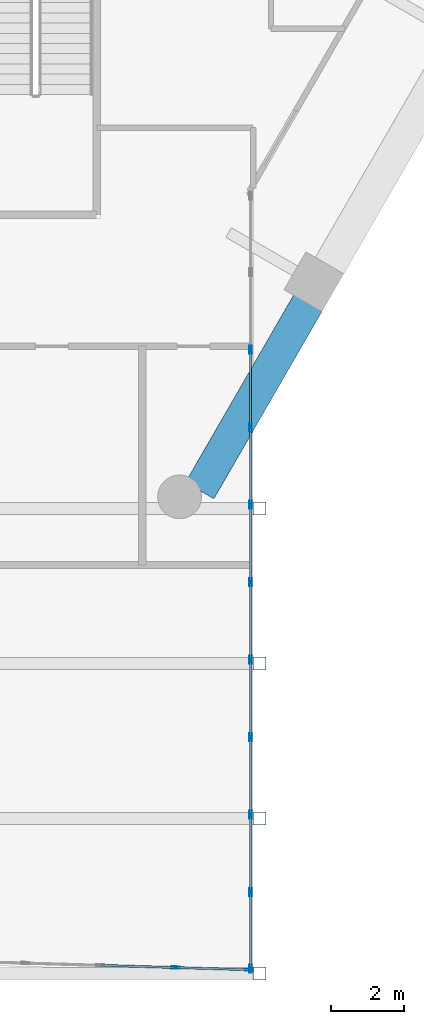
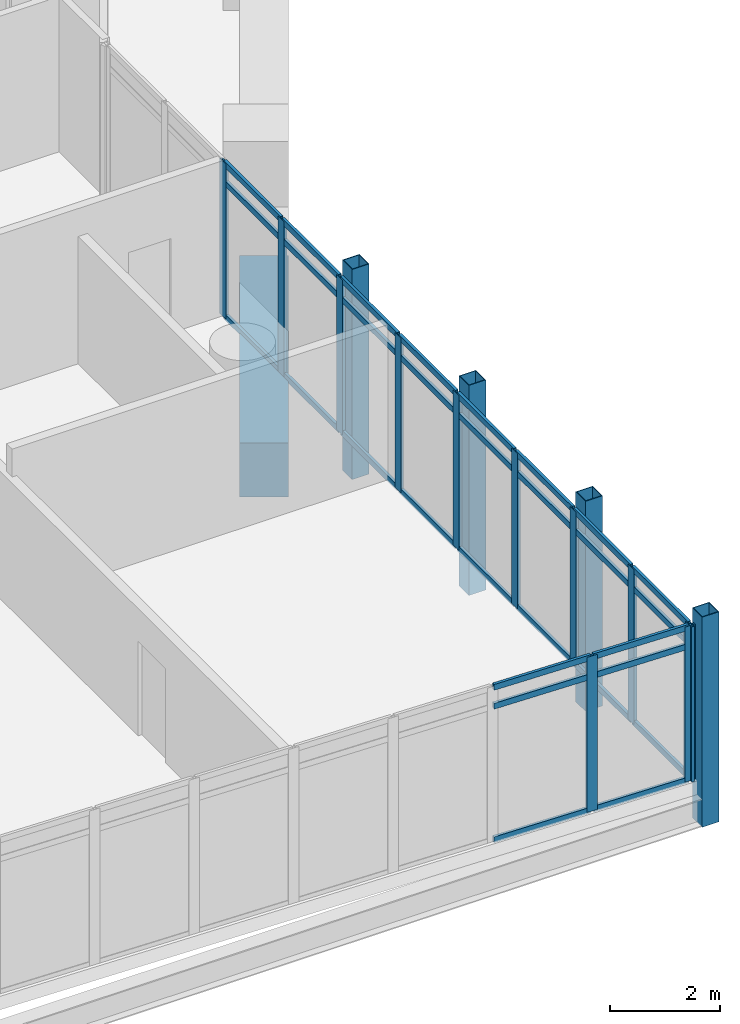
# One storey, part 10 of 28: 45 members, 1 beam, 2 elements without a shape of their own.
"""IFC4 building model written with IfcOpenShell, lengths in metres."""

from ifc_helpers import new_model, si_unit, direction, frame, origin, origin_2d, place, context, subcontext, project, spatial, rectangle, hollow_rectangle, extrude, material, material_profile, profile_set, type_object, element, aggregate, save


model = new_model("IFC4")

# Units and contexts
model_context = context("Model", 3, precision=1e-05, world=origin(), true_north=direction((0.0, 1.0)))
body_context = subcontext(model_context, "Body", "Model", "MODEL_VIEW")
ifc_project = project(units=[si_unit("LENGTHUNIT", "METRE"), si_unit("AREAUNIT", "SQUARE_METRE"), si_unit("VOLUMEUNIT", "CUBIC_METRE"), si_unit("PLANEANGLEUNIT", "RADIAN"), si_unit("MASSUNIT", "GRAM", prefix="KILO")], contexts=[model_context])

# Site, building, storey
site_placement = place(None, origin())
site = spatial("IfcSite", under=ifc_project, at=site_placement, CompositionType="ELEMENT")
building_placement = place(site_placement, origin())
building = spatial("IfcBuilding", under=site, at=building_placement, Name="Ostrander Bayou Hotel Tower", CompositionType="ELEMENT")
storey_placement = place(building_placement, frame((0.0, 0.0, 104.25)))
storey = spatial("IfcBuildingStorey", under=building, at=storey_placement, Name="L26", CompositionType="ELEMENT", Elevation=104.25)

# Curtain wall, members
ifc_material_1 = material(Name="Aluminium and clear glass", Category="aluminium")
curtain_wall_type = type_object("IfcCurtainWallType", Name="CW-BAR glazed wall", PredefinedType="NOTDEFINED", material=ifc_material_1)
curtain_wall_1_placement = place(storey_placement, origin())
curtain_wall_1 = element("IfcCurtainWall", 1, at=curtain_wall_1_placement, inside=storey, type_object=curtain_wall_type, Name="CW-BAR L26:SB2S:T", PredefinedType="NOTDEFINED")
ifc_material_2 = material(Name="Aluminium", Category="aluminium")
ifc_material_profile_1 = material_profile(ifc_material_2, hollow_rectangle(XDim=0.06005859375, YDim=0.219970703125, WallThickness=0.00390625, at=origin_2d()))
ifc_profile_set_1 = profile_set([ifc_material_profile_1], Name="Aluminium")
member_type_1 = type_object("IfcMemberType", Name="CW-BR mullion 60 x 220 mm", PredefinedType="MULLION", material=ifc_profile_set_1)
member_1_placement = place(storey_placement, frame((11.310791015625, -32.03662109375, 0.0), z_axis=(0.0, 0.0, 1.0), x_axis=(0.029746242041, 0.999557482631, 0.0)))
member_1 = element("IfcMember", 2, at=member_1_placement, type_object=member_type_1, Name="CW-BAR mullion 13", PredefinedType="MULLION", context=body_context, shape_type="SweptSolid", body=[
    extrude(hollow_rectangle(XDim=0.06005859375, YDim=0.219970703125, WallThickness=0.00390625, at=origin_2d()), origin(), (0.0, 0.0, 1.0), 3.449951171875),
])
member_2_placement = place(storey_placement, frame((13.337158203125, -32.096923828125, 0.0), z_axis=(0.0, 0.0, 1.0), x_axis=(0.029746242041, 0.999557482631, 0.0)))
member_2 = element("IfcMember", 3, at=member_2_placement, type_object=member_type_1, Name="CW-BAR mullion 14", PredefinedType="MULLION", context=body_context, shape_type="SweptSolid", body=[
    extrude(hollow_rectangle(XDim=0.06005859375, YDim=0.219970703125, WallThickness=0.00390625, at=origin_2d()), origin(), (0.0, 0.0, 1.0), 3.449951171875),
])

curtain_wall_2_placement = place(storey_placement, origin())
curtain_wall_2 = element("IfcCurtainWall", 4, at=curtain_wall_2_placement, inside=storey, type_object=curtain_wall_type, Name="CW-BAR L26:SB2S:W", PredefinedType="NOTDEFINED")
member_3_placement = place(storey_placement, frame((13.3671875, -15.097412109375, 0.0), z_axis=(0.0, 0.0, 1.0), x_axis=(1.0, 0.0, 0.0)))
member_3 = element("IfcMember", 5, at=member_3_placement, type_object=member_type_1, Name="CW-BAR mullion 3", PredefinedType="MULLION", context=body_context, shape_type="SweptSolid", body=[
    extrude(hollow_rectangle(XDim=0.06005859375, YDim=0.219970703125, WallThickness=0.00390625, at=origin_2d()), origin(), (0.0, 0.0, 1.0), 3.449951171875),
])
member_4_placement = place(storey_placement, frame((13.3671875, -17.222412109375, 0.0), z_axis=(0.0, 0.0, 1.0), x_axis=(1.0, 0.0, 0.0)))
member_4 = element("IfcMember", 6, at=member_4_placement, type_object=member_type_1, Name="CW-BAR mullion 4", PredefinedType="MULLION", context=body_context, shape_type="SweptSolid", body=[
    extrude(hollow_rectangle(XDim=0.06005859375, YDim=0.219970703125, WallThickness=0.00390625, at=origin_2d()), origin(), (0.0, 0.0, 1.0), 3.449951171875),
])
member_5_placement = place(storey_placement, frame((13.3671875, -19.347412109375, 0.0), z_axis=(0.0, 0.0, 1.0), x_axis=(1.0, 0.0, 0.0)))
member_5 = element("IfcMember", 7, at=member_5_placement, type_object=member_type_1, Name="CW-BAR mullion 5", PredefinedType="MULLION", context=body_context, shape_type="SweptSolid", body=[
    extrude(hollow_rectangle(XDim=0.06005859375, YDim=0.219970703125, WallThickness=0.00390625, at=origin_2d()), origin(), (0.0, 0.0, 1.0), 3.449951171875),
])
member_6_placement = place(storey_placement, frame((13.3671875, -21.47265625, 0.0), z_axis=(0.0, 0.0, 1.0), x_axis=(1.0, 0.0, 0.0)))
member_6 = element("IfcMember", 8, at=member_6_placement, type_object=member_type_1, Name="CW-BAR mullion 6", PredefinedType="MULLION", context=body_context, shape_type="SweptSolid", body=[
    extrude(hollow_rectangle(XDim=0.06005859375, YDim=0.219970703125, WallThickness=0.00390625, at=origin_2d()), origin(), (0.0, 0.0, 1.0), 3.449951171875),
])
member_7_placement = place(storey_placement, frame((13.3671875, -23.59765625, 0.0), z_axis=(0.0, 0.0, 1.0), x_axis=(1.0, 0.0, 0.0)))
member_7 = element("IfcMember", 9, at=member_7_placement, type_object=member_type_1, Name="CW-BAR mullion 7", PredefinedType="MULLION", context=body_context, shape_type="SweptSolid", body=[
    extrude(hollow_rectangle(XDim=0.06005859375, YDim=0.219970703125, WallThickness=0.00390625, at=origin_2d()), origin(), (0.0, 0.0, 1.0), 3.449951171875),
])
member_8_placement = place(storey_placement, frame((13.3671875, -25.72265625, 0.0), z_axis=(0.0, 0.0, 1.0), x_axis=(1.0, 0.0, 0.0)))
member_8 = element("IfcMember", 10, at=member_8_placement, type_object=member_type_1, Name="CW-BAR mullion 8", PredefinedType="MULLION", context=body_context, shape_type="SweptSolid", body=[
    extrude(hollow_rectangle(XDim=0.06005859375, YDim=0.219970703125, WallThickness=0.00390625, at=origin_2d()), origin(), (0.0, 0.0, 1.0), 3.449951171875),
])
member_9_placement = place(storey_placement, frame((13.3671875, -27.84765625, 0.0), z_axis=(0.0, 0.0, 1.0), x_axis=(1.0, 0.0, 0.0)))
member_9 = element("IfcMember", 11, at=member_9_placement, type_object=member_type_1, Name="CW-BAR mullion 9", PredefinedType="MULLION", context=body_context, shape_type="SweptSolid", body=[
    extrude(hollow_rectangle(XDim=0.06005859375, YDim=0.219970703125, WallThickness=0.00390625, at=origin_2d()), origin(), (0.0, 0.0, 1.0), 3.449951171875),
])
member_10_placement = place(storey_placement, frame((13.3671875, -29.97265625, 0.0), z_axis=(0.0, 0.0, 1.0), x_axis=(1.0, 0.0, 0.0)))
member_10 = element("IfcMember", 12, at=member_10_placement, type_object=member_type_1, Name="CW-BAR mullion 10", PredefinedType="MULLION", context=body_context, shape_type="SweptSolid", body=[
    extrude(hollow_rectangle(XDim=0.06005859375, YDim=0.219970703125, WallThickness=0.00390625, at=origin_2d()), origin(), (0.0, 0.0, 1.0), 3.449951171875),
])
member_11_placement = place(storey_placement, frame((13.3671875, -32.06787109375, 0.0), z_axis=(0.0, 0.0, 1.0), x_axis=(1.0, 0.0, 0.0)))
member_11 = element("IfcMember", 13, at=member_11_placement, type_object=member_type_1, Name="CW-BAR mullion 11", PredefinedType="MULLION", context=body_context, shape_type="SweptSolid", body=[
    extrude(hollow_rectangle(XDim=0.06005859375, YDim=0.219970703125, WallThickness=0.00390625, at=origin_2d()), origin(), (0.0, 0.0, 1.0), 3.449951171875),
])

# Member
ifc_material_3 = material(Name="Aluminium", Category="aluminium")
ifc_material_profile_2 = material_profile(ifc_material_3, hollow_rectangle(XDim=0.06005859375, YDim=0.1298828125, WallThickness=0.00390625, at=origin_2d()))
ifc_profile_set_2 = profile_set([ifc_material_profile_2], Name="Aluminium")
member_type_2 = type_object("IfcMemberType", Name="CW-BR transom 60 x 130 mm", PredefinedType="USERDEFINED", material=ifc_profile_set_2)
member_12_placement = place(storey_placement, frame((9.2841796875, -31.976318359375, 0.030029296875), z_axis=(0.999558835181, -0.029700757758, 0.0), x_axis=(0.029700757758, 0.999558835181, 0.0)))
member_12 = element("IfcMember", 14, at=member_12_placement, type_object=member_type_2, Name="CW-BAR transom 12.1", ObjectType="TRANSOM", PredefinedType="USERDEFINED", context=body_context, shape_type="SweptSolid", body=[
    extrude(hollow_rectangle(XDim=0.06005859375, YDim=0.1298828125, WallThickness=0.00390625, at=origin_2d()), origin(), (0.0, 0.0, 1.0), 1.99755859375),
])

member_13_placement = place(storey_placement, frame((9.2841796875, -31.976318359375, 3.0), z_axis=(0.999558835181, -0.029700757758, 0.0), x_axis=(0.029700757758, 0.999558835181, 0.0)))
member_13 = element("IfcMember", 15, at=member_13_placement, type_object=member_type_2, Name="CW-BAR transom 12.2", ObjectType="TRANSOM", PredefinedType="USERDEFINED", context=body_context, shape_type="SweptSolid", body=[
    extrude(hollow_rectangle(XDim=0.06005859375, YDim=0.1298828125, WallThickness=0.00390625, at=origin_2d()), origin(), (0.0, 0.0, 1.0), 1.99755859375),
])

member_14_placement = place(storey_placement, frame((9.2841796875, -31.976318359375, 3.419921875), z_axis=(0.999558835181, -0.029700757758, 0.0), x_axis=(0.029700757758, 0.999558835181, 0.0)))
member_14 = element("IfcMember", 16, at=member_14_placement, type_object=member_type_2, Name="CW-BAR transom 12.3", ObjectType="TRANSOM", PredefinedType="USERDEFINED", context=body_context, shape_type="SweptSolid", body=[
    extrude(hollow_rectangle(XDim=0.06005859375, YDim=0.1298828125, WallThickness=0.00390625, at=origin_2d()), origin(), (0.0, 0.0, 1.0), 1.99755859375),
])

member_15_placement = place(storey_placement, frame((11.340576171875, -32.03759765625, 0.030029296875), z_axis=(0.99956010596, -0.029657959693, 0.0), x_axis=(0.029657959693, 0.99956010596, 0.0)))
member_15 = element("IfcMember", 17, at=member_15_placement, type_object=member_type_2, Name="CW-BAR transom 13.1", ObjectType="TRANSOM", PredefinedType="USERDEFINED", context=body_context, shape_type="SweptSolid", body=[
    extrude(hollow_rectangle(XDim=0.06005859375, YDim=0.1298828125, WallThickness=0.00390625, at=origin_2d()), origin(), (0.0, 0.0, 1.0), 1.967529296875),
])

member_16_placement = place(storey_placement, frame((11.340576171875, -32.03759765625, 3.0), z_axis=(0.99956010596, -0.029657959693, 0.0), x_axis=(0.029657959693, 0.99956010596, 0.0)))
member_16 = element("IfcMember", 18, at=member_16_placement, type_object=member_type_2, Name="CW-BAR transom 13.2", ObjectType="TRANSOM", PredefinedType="USERDEFINED", context=body_context, shape_type="SweptSolid", body=[
    extrude(hollow_rectangle(XDim=0.06005859375, YDim=0.1298828125, WallThickness=0.00390625, at=origin_2d()), origin(), (0.0, 0.0, 1.0), 1.967529296875),
])

member_17_placement = place(storey_placement, frame((11.340576171875, -32.03759765625, 3.419921875), z_axis=(0.99956010596, -0.029657959693, 0.0), x_axis=(0.029657959693, 0.99956010596, 0.0)))
member_17 = element("IfcMember", 19, at=member_17_placement, type_object=member_type_2, Name="CW-BAR transom 13.3", ObjectType="TRANSOM", PredefinedType="USERDEFINED", context=body_context, shape_type="SweptSolid", body=[
    extrude(hollow_rectangle(XDim=0.06005859375, YDim=0.1298828125, WallThickness=0.00390625, at=origin_2d()), origin(), (0.0, 0.0, 1.0), 1.967529296875),
])

aggregate(curtain_wall_1, [member_1, member_2, member_12, member_13, member_14, member_15, member_16, member_17])

member_18_placement = place(storey_placement, frame((13.3671875, -15.12744140625, 0.030029296875), z_axis=(0.0, -1.0, 0.0), x_axis=(1.0, 0.0, 0.0)))
member_18 = element("IfcMember", 20, at=member_18_placement, type_object=member_type_2, Name="CW-BAR transom 3.1", ObjectType="TRANSOM", PredefinedType="USERDEFINED", context=body_context, shape_type="SweptSolid", body=[
    extrude(hollow_rectangle(XDim=0.06005859375, YDim=0.1298828125, WallThickness=0.00390625, at=origin_2d()), origin(), (0.0, 0.0, 1.0), 2.06494140625),
])

member_19_placement = place(storey_placement, frame((13.3671875, -15.12744140625, 3.0), z_axis=(0.0, -1.0, 0.0), x_axis=(1.0, 0.0, 0.0)))
member_19 = element("IfcMember", 21, at=member_19_placement, type_object=member_type_2, Name="CW-BAR transom 3.2", ObjectType="TRANSOM", PredefinedType="USERDEFINED", context=body_context, shape_type="SweptSolid", body=[
    extrude(hollow_rectangle(XDim=0.06005859375, YDim=0.1298828125, WallThickness=0.00390625, at=origin_2d()), origin(), (0.0, 0.0, 1.0), 2.06494140625),
])

member_20_placement = place(storey_placement, frame((13.3671875, -15.12744140625, 3.419921875), z_axis=(0.0, -1.0, 0.0), x_axis=(1.0, 0.0, 0.0)))
member_20 = element("IfcMember", 22, at=member_20_placement, type_object=member_type_2, Name="CW-BAR transom 3.3", ObjectType="TRANSOM", PredefinedType="USERDEFINED", context=body_context, shape_type="SweptSolid", body=[
    extrude(hollow_rectangle(XDim=0.06005859375, YDim=0.1298828125, WallThickness=0.00390625, at=origin_2d()), origin(), (0.0, 0.0, 1.0), 2.06494140625),
])

member_21_placement = place(storey_placement, frame((13.3671875, -17.25244140625, 0.030029296875), z_axis=(0.0, -1.0, 0.0), x_axis=(1.0, 0.0, 0.0)))
member_21 = element("IfcMember", 23, at=member_21_placement, type_object=member_type_2, Name="CW-BAR transom 4.1", ObjectType="TRANSOM", PredefinedType="USERDEFINED", context=body_context, shape_type="SweptSolid", body=[
    extrude(hollow_rectangle(XDim=0.06005859375, YDim=0.1298828125, WallThickness=0.00390625, at=origin_2d()), origin(), (0.0, 0.0, 1.0), 2.06494140625),
])

member_22_placement = place(storey_placement, frame((13.3671875, -17.25244140625, 3.0), z_axis=(0.0, -1.0, 0.0), x_axis=(1.0, 0.0, 0.0)))
member_22 = element("IfcMember", 24, at=member_22_placement, type_object=member_type_2, Name="CW-BAR transom 4.2", ObjectType="TRANSOM", PredefinedType="USERDEFINED", context=body_context, shape_type="SweptSolid", body=[
    extrude(hollow_rectangle(XDim=0.06005859375, YDim=0.1298828125, WallThickness=0.00390625, at=origin_2d()), origin(), (0.0, 0.0, 1.0), 2.06494140625),
])

member_23_placement = place(storey_placement, frame((13.3671875, -17.25244140625, 3.419921875), z_axis=(0.0, -1.0, 0.0), x_axis=(1.0, 0.0, 0.0)))
member_23 = element("IfcMember", 25, at=member_23_placement, type_object=member_type_2, Name="CW-BAR transom 4.3", ObjectType="TRANSOM", PredefinedType="USERDEFINED", context=body_context, shape_type="SweptSolid", body=[
    extrude(hollow_rectangle(XDim=0.06005859375, YDim=0.1298828125, WallThickness=0.00390625, at=origin_2d()), origin(), (0.0, 0.0, 1.0), 2.06494140625),
])

member_24_placement = place(storey_placement, frame((13.3671875, -19.37744140625, 0.030029296875), z_axis=(0.0, -1.0, 0.0), x_axis=(1.0, 0.0, 0.0)))
member_24 = element("IfcMember", 26, at=member_24_placement, type_object=member_type_2, Name="CW-BAR transom 5.1", ObjectType="TRANSOM", PredefinedType="USERDEFINED", context=body_context, shape_type="SweptSolid", body=[
    extrude(hollow_rectangle(XDim=0.06005859375, YDim=0.1298828125, WallThickness=0.00390625, at=origin_2d()), origin(), (0.0, 0.0, 1.0), 2.065185546875),
])

member_25_placement = place(storey_placement, frame((13.3671875, -19.37744140625, 3.0), z_axis=(0.0, -1.0, 0.0), x_axis=(1.0, 0.0, 0.0)))
member_25 = element("IfcMember", 27, at=member_25_placement, type_object=member_type_2, Name="CW-BAR transom 5.2", ObjectType="TRANSOM", PredefinedType="USERDEFINED", context=body_context, shape_type="SweptSolid", body=[
    extrude(hollow_rectangle(XDim=0.06005859375, YDim=0.1298828125, WallThickness=0.00390625, at=origin_2d()), origin(), (0.0, 0.0, 1.0), 2.065185546875),
])

member_26_placement = place(storey_placement, frame((13.3671875, -19.37744140625, 3.419921875), z_axis=(0.0, -1.0, 0.0), x_axis=(1.0, 0.0, 0.0)))
member_26 = element("IfcMember", 28, at=member_26_placement, type_object=member_type_2, Name="CW-BAR transom 5.3", ObjectType="TRANSOM", PredefinedType="USERDEFINED", context=body_context, shape_type="SweptSolid", body=[
    extrude(hollow_rectangle(XDim=0.06005859375, YDim=0.1298828125, WallThickness=0.00390625, at=origin_2d()), origin(), (0.0, 0.0, 1.0), 2.065185546875),
])

member_27_placement = place(storey_placement, frame((13.3671875, -21.50244140625, 0.030029296875), z_axis=(0.0, -1.0, 0.0), x_axis=(1.0, 0.0, 0.0)))
member_27 = element("IfcMember", 29, at=member_27_placement, type_object=member_type_2, Name="CW-BAR transom 6.1", ObjectType="TRANSOM", PredefinedType="USERDEFINED", context=body_context, shape_type="SweptSolid", body=[
    extrude(hollow_rectangle(XDim=0.06005859375, YDim=0.1298828125, WallThickness=0.00390625, at=origin_2d()), origin(), (0.0, 0.0, 1.0), 2.065185546875),
])

member_28_placement = place(storey_placement, frame((13.3671875, -21.50244140625, 3.0), z_axis=(0.0, -1.0, 0.0), x_axis=(1.0, 0.0, 0.0)))
member_28 = element("IfcMember", 30, at=member_28_placement, type_object=member_type_2, Name="CW-BAR transom 6.2", ObjectType="TRANSOM", PredefinedType="USERDEFINED", context=body_context, shape_type="SweptSolid", body=[
    extrude(hollow_rectangle(XDim=0.06005859375, YDim=0.1298828125, WallThickness=0.00390625, at=origin_2d()), origin(), (0.0, 0.0, 1.0), 2.065185546875),
])

member_29_placement = place(storey_placement, frame((13.3671875, -21.50244140625, 3.419921875), z_axis=(0.0, -1.0, 0.0), x_axis=(1.0, 0.0, 0.0)))
member_29 = element("IfcMember", 31, at=member_29_placement, type_object=member_type_2, Name="CW-BAR transom 6.3", ObjectType="TRANSOM", PredefinedType="USERDEFINED", context=body_context, shape_type="SweptSolid", body=[
    extrude(hollow_rectangle(XDim=0.06005859375, YDim=0.1298828125, WallThickness=0.00390625, at=origin_2d()), origin(), (0.0, 0.0, 1.0), 2.065185546875),
])

member_30_placement = place(storey_placement, frame((13.3671875, -23.627685546875, 0.030029296875), z_axis=(0.0, -1.0, 0.0), x_axis=(1.0, 0.0, 0.0)))
member_30 = element("IfcMember", 32, at=member_30_placement, type_object=member_type_2, Name="CW-BAR transom 7.1", ObjectType="TRANSOM", PredefinedType="USERDEFINED", context=body_context, shape_type="SweptSolid", body=[
    extrude(hollow_rectangle(XDim=0.06005859375, YDim=0.1298828125, WallThickness=0.00390625, at=origin_2d()), origin(), (0.0, 0.0, 1.0), 2.06494140625),
])

member_31_placement = place(storey_placement, frame((13.3671875, -23.627685546875, 3.0), z_axis=(0.0, -1.0, 0.0), x_axis=(1.0, 0.0, 0.0)))
member_31 = element("IfcMember", 33, at=member_31_placement, type_object=member_type_2, Name="CW-BAR transom 7.2", ObjectType="TRANSOM", PredefinedType="USERDEFINED", context=body_context, shape_type="SweptSolid", body=[
    extrude(hollow_rectangle(XDim=0.06005859375, YDim=0.1298828125, WallThickness=0.00390625, at=origin_2d()), origin(), (0.0, 0.0, 1.0), 2.06494140625),
])

member_32_placement = place(storey_placement, frame((13.3671875, -23.627685546875, 3.419921875), z_axis=(0.0, -1.0, 0.0), x_axis=(1.0, 0.0, 0.0)))
member_32 = element("IfcMember", 34, at=member_32_placement, type_object=member_type_2, Name="CW-BAR transom 7.3", ObjectType="TRANSOM", PredefinedType="USERDEFINED", context=body_context, shape_type="SweptSolid", body=[
    extrude(hollow_rectangle(XDim=0.06005859375, YDim=0.1298828125, WallThickness=0.00390625, at=origin_2d()), origin(), (0.0, 0.0, 1.0), 2.06494140625),
])

member_33_placement = place(storey_placement, frame((13.3671875, -25.752685546875, 0.030029296875), z_axis=(0.0, -1.0, 0.0), x_axis=(1.0, 0.0, 0.0)))
member_33 = element("IfcMember", 35, at=member_33_placement, type_object=member_type_2, Name="CW-BAR transom 8.1", ObjectType="TRANSOM", PredefinedType="USERDEFINED", context=body_context, shape_type="SweptSolid", body=[
    extrude(hollow_rectangle(XDim=0.06005859375, YDim=0.1298828125, WallThickness=0.00390625, at=origin_2d()), origin(), (0.0, 0.0, 1.0), 2.06494140625),
])

member_34_placement = place(storey_placement, frame((13.3671875, -25.752685546875, 3.0), z_axis=(0.0, -1.0, 0.0), x_axis=(1.0, 0.0, 0.0)))
member_34 = element("IfcMember", 36, at=member_34_placement, type_object=member_type_2, Name="CW-BAR transom 8.2", ObjectType="TRANSOM", PredefinedType="USERDEFINED", context=body_context, shape_type="SweptSolid", body=[
    extrude(hollow_rectangle(XDim=0.06005859375, YDim=0.1298828125, WallThickness=0.00390625, at=origin_2d()), origin(), (0.0, 0.0, 1.0), 2.06494140625),
])

member_35_placement = place(storey_placement, frame((13.3671875, -25.752685546875, 3.419921875), z_axis=(0.0, -1.0, 0.0), x_axis=(1.0, 0.0, 0.0)))
member_35 = element("IfcMember", 37, at=member_35_placement, type_object=member_type_2, Name="CW-BAR transom 8.3", ObjectType="TRANSOM", PredefinedType="USERDEFINED", context=body_context, shape_type="SweptSolid", body=[
    extrude(hollow_rectangle(XDim=0.06005859375, YDim=0.1298828125, WallThickness=0.00390625, at=origin_2d()), origin(), (0.0, 0.0, 1.0), 2.06494140625),
])

member_36_placement = place(storey_placement, frame((13.3671875, -27.877685546875, 0.030029296875), z_axis=(0.0, -1.0, 0.0), x_axis=(1.0, 0.0, 0.0)))
member_36 = element("IfcMember", 38, at=member_36_placement, type_object=member_type_2, Name="CW-BAR transom 9.1", ObjectType="TRANSOM", PredefinedType="USERDEFINED", context=body_context, shape_type="SweptSolid", body=[
    extrude(hollow_rectangle(XDim=0.06005859375, YDim=0.1298828125, WallThickness=0.00390625, at=origin_2d()), origin(), (0.0, 0.0, 1.0), 2.065185546875),
])

member_37_placement = place(storey_placement, frame((13.3671875, -27.877685546875, 3.0), z_axis=(0.0, -1.0, 0.0), x_axis=(1.0, 0.0, 0.0)))
member_37 = element("IfcMember", 39, at=member_37_placement, type_object=member_type_2, Name="CW-BAR transom 9.2", ObjectType="TRANSOM", PredefinedType="USERDEFINED", context=body_context, shape_type="SweptSolid", body=[
    extrude(hollow_rectangle(XDim=0.06005859375, YDim=0.1298828125, WallThickness=0.00390625, at=origin_2d()), origin(), (0.0, 0.0, 1.0), 2.065185546875),
])

member_38_placement = place(storey_placement, frame((13.3671875, -27.877685546875, 3.419921875), z_axis=(0.0, -1.0, 0.0), x_axis=(1.0, 0.0, 0.0)))
member_38 = element("IfcMember", 40, at=member_38_placement, type_object=member_type_2, Name="CW-BAR transom 9.3", ObjectType="TRANSOM", PredefinedType="USERDEFINED", context=body_context, shape_type="SweptSolid", body=[
    extrude(hollow_rectangle(XDim=0.06005859375, YDim=0.1298828125, WallThickness=0.00390625, at=origin_2d()), origin(), (0.0, 0.0, 1.0), 2.065185546875),
])

member_39_placement = place(storey_placement, frame((13.3671875, -30.002685546875, 0.030029296875), z_axis=(0.0, -1.0, 0.0), x_axis=(1.0, 0.0, 0.0)))
member_39 = element("IfcMember", 41, at=member_39_placement, type_object=member_type_2, Name="CW-BAR transom 10.1", ObjectType="TRANSOM", PredefinedType="USERDEFINED", context=body_context, shape_type="SweptSolid", body=[
    extrude(hollow_rectangle(XDim=0.06005859375, YDim=0.1298828125, WallThickness=0.00390625, at=origin_2d()), origin(), (0.0, 0.0, 1.0), 2.03515625),
])

member_40_placement = place(storey_placement, frame((13.3671875, -30.002685546875, 3.0), z_axis=(0.0, -1.0, 0.0), x_axis=(1.0, 0.0, 0.0)))
member_40 = element("IfcMember", 42, at=member_40_placement, type_object=member_type_2, Name="CW-BAR transom 10.2", ObjectType="TRANSOM", PredefinedType="USERDEFINED", context=body_context, shape_type="SweptSolid", body=[
    extrude(hollow_rectangle(XDim=0.06005859375, YDim=0.1298828125, WallThickness=0.00390625, at=origin_2d()), origin(), (0.0, 0.0, 1.0), 2.03515625),
])

member_41_placement = place(storey_placement, frame((13.3671875, -30.002685546875, 3.419921875), z_axis=(0.0, -1.0, 0.0), x_axis=(1.0, 0.0, 0.0)))
member_41 = element("IfcMember", 43, at=member_41_placement, type_object=member_type_2, Name="CW-BAR transom 10.3", ObjectType="TRANSOM", PredefinedType="USERDEFINED", context=body_context, shape_type="SweptSolid", body=[
    extrude(hollow_rectangle(XDim=0.06005859375, YDim=0.1298828125, WallThickness=0.00390625, at=origin_2d()), origin(), (0.0, 0.0, 1.0), 2.03515625),
])

aggregate(curtain_wall_2, [member_3, member_4, member_5, member_6, member_7, member_8, member_9, member_10, member_11, member_18, member_19, member_20, member_21, member_22, member_23, member_24, member_25, member_26, member_27, member_28, member_29, member_30, member_31, member_32, member_33, member_34, member_35, member_36, member_37, member_38, member_39, member_40, member_41])

# Beam
ifc_material_4 = material(Name="Concrete f'c 70 MPa", Category="concrete")
ifc_material_profile_3 = material_profile(ifc_material_4, rectangle(XDim=0.89990234375, YDim=1.199951171875, at=origin_2d()))
ifc_profile_set_3 = profile_set([ifc_material_profile_3], Name="Concrete f'c 70 MPa")
beam_type = type_object("IfcBeamType", Name="SP2 spandrel beam 900 x 1200 mm f'c 70 MPa", PredefinedType="SPANDREL", material=ifc_profile_set_3)
beam_placement = place(storey_placement, frame((11.974853515625, -18.958984375, -0.60009765625), z_axis=(0.499988630717, 0.866031967744, 0.0), x_axis=(-0.866031967744, 0.499988630717, 0.0)))
element("IfcBeam", 44, at=beam_placement, inside=storey, type_object=beam_type, Name="SP2 L26 SE-1", PredefinedType="SPANDREL", context=body_context, shape_type="SweptSolid", body=[
    extrude(rectangle(XDim=0.89990234375, YDim=1.199951171875, at=origin_2d()), origin(), (0.0, 0.0, 1.0), 5.954833984375),
])

# Members
ifc_material_5 = material(Name="Steel ASTM A500 Gr C", Category="steel")
ifc_material_profile_4 = material_profile(ifc_material_5, hollow_rectangle(XDim=0.355712890625, YDim=0.355712890625, WallThickness=0.0146484375, at=origin_2d()))
ifc_profile_set_4 = profile_set([ifc_material_profile_4], Name="Steel ASTM A500 Gr C")
member_type_3 = type_object("IfcMemberType", Name="TH1 bar hanger HSS14x14x5/8", PredefinedType="POST", material=ifc_profile_set_4)
for number, where, z_axis, x_axis, name in (
    (45, (13.6201171875, -19.450927734375, -0.921875), (0.0, 0.0, 1.0), (1.0, 0.0, 0.0), "TH1 SB2SB H1-4"),
    (46, (13.6201171875, -23.70068359375, -0.921875), (0.0, 0.0, 1.0), (1.0, 0.0, 0.0), "TH1 SB2SB H2-4"),
    (47, (13.6201171875, -27.9501953125, -0.921875), (0.0, 0.0, 1.0), (1.0, 0.0, 0.0), "TH1 SB2SB H3-4"),
    (48, (13.6201171875, -32.199951171875, -0.921875), (0.0, 0.0, 1.0), (1.0, 0.0, 0.0), "TH1 SB2SB H4-4"),
):
    element("IfcMember", number, at=place(storey_placement, frame(where, z_axis=z_axis, x_axis=x_axis)), inside=storey, type_object=member_type_3, Name=name, PredefinedType="POST", context=body_context, shape_type="SweptSolid", body=[
        extrude(hollow_rectangle(XDim=0.355712890625, YDim=0.355712890625, WallThickness=0.0146484375, at=origin_2d()), origin(), (0.0, 0.0, 1.0), 4.671875),
    ])

save(model, "model.ifc")
